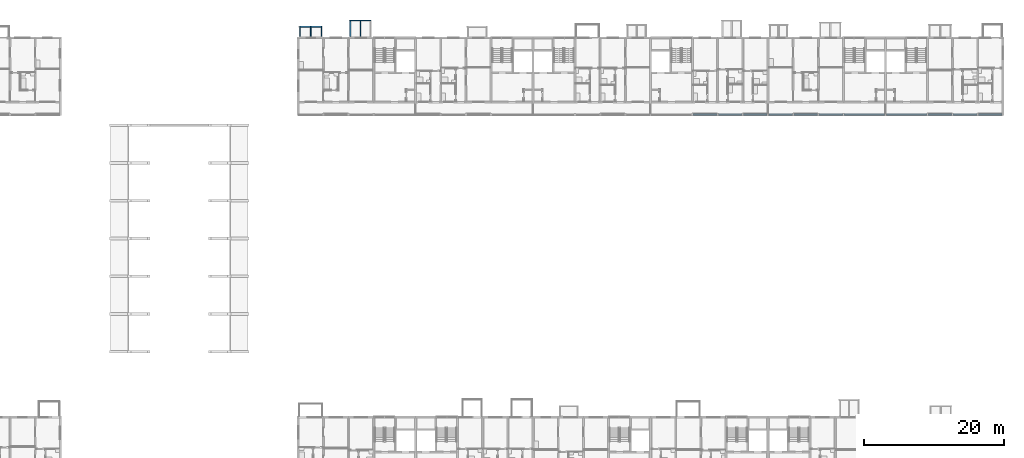
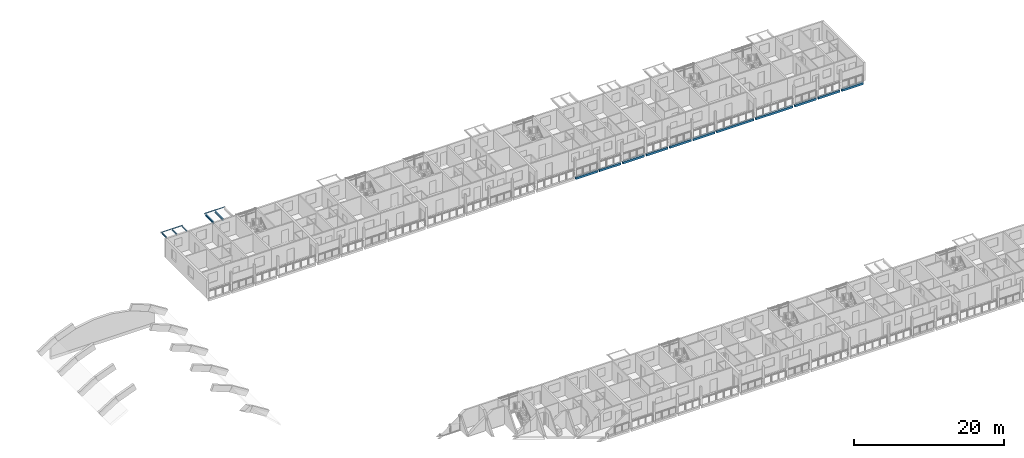
# One storey, part 17 of 99: 18 beams.
"""IFC4 building model written with IfcOpenShell, lengths in metres."""

import ifcopenshell
import ifcopenshell.guid

model = None  # the IFC model being written
_history = None  # IfcOwnerHistory: only IFC2X3 demands one
_inside = {}  # id of a spatial element -> (the spatial element, [elements in it])
_under = {}  # id of a project, library or spatial element -> (it, [spatial elements below it])
_declared = {}  # id of a project -> (the project, [libraries it declares])
_typed = {}  # id of a type object -> (the type object, [elements of that type])
_made_of = {}  # id of a material, layer set ... -> (it, [elements and type objects made of it])


def new_model(schema):
    """Start an empty IFC model of exactly this schema.

    Asked for "IFC4X3", IfcOpenShell would pick the latest addendum, in which some entities
    have other attributes; the version numbers below select the first issue.
    IFC2X3 requires an IfcOwnerHistory on every rooted entity: one is made here for all.
    """
    global model, _history
    if schema == "IFC4X3":
        model = ifcopenshell.file(schema_version=(4, 3, 0, 0))
    else:
        model = ifcopenshell.file(schema=schema)
    _inside.clear()
    _under.clear()
    _declared.clear()
    _typed.clear()
    _made_of.clear()
    _history = None
    if model.schema == "IFC2X3":
        org = make("IfcOrganization", Name="unknown")
        user = make(
            "IfcPersonAndOrganization",
            ThePerson=make("IfcPerson", FamilyName="unknown"),
            TheOrganization=org,
        )
        app = make(
            "IfcApplication",
            ApplicationDeveloper=org,
            Version="unknown",
            ApplicationFullName="unknown",
            ApplicationIdentifier="unknown",
        )
        _history = make(
            "IfcOwnerHistory",
            OwningUser=user,
            OwningApplication=app,
            ChangeAction="ADDED",
            CreationDate=0,
        )
    return model


def make(cls, **values):
    """One entity of the class cls with the attributes given. An attribute that is None is left unset."""
    return model.create_entity(
        cls, **{name: value for name, value in values.items() if value is not None}
    )


def rooted(cls, **values):
    """An entity with a GlobalId (a new one), such as an element, a storey or a relation."""
    return make(cls, GlobalId=ifcopenshell.guid.new(), OwnerHistory=_history, **values)


def si_unit(unit_type, name, prefix=None):
    """IfcSIUnit, for example si_unit("LENGTHUNIT", "METRE", prefix="MILLI")."""
    return make("IfcSIUnit", UnitType=unit_type, Prefix=prefix, Name=name)


def assignment(units):
    """IfcUnitAssignment: the units of a project."""
    return None if units is None else make("IfcUnitAssignment", Units=units)


def point(xyz):
    """IfcCartesianPoint."""
    return None if xyz is None else make("IfcCartesianPoint", Coordinates=xyz)


def direction(xyz):
    """IfcDirection."""
    return None if xyz is None else make("IfcDirection", DirectionRatios=xyz)


def frame(location, z_axis=None, x_axis=None):
    """IfcAxis2Placement3D, a coordinate frame: its origin and axes. An axis left out is left unset."""
    return make(
        "IfcAxis2Placement3D",
        Location=point(location),
        Axis=direction(z_axis),
        RefDirection=direction(x_axis),
    )


def frame_2d(location, x_axis=None):
    """IfcAxis2Placement2D, a coordinate frame in the plane: its origin and x axis."""
    return make(
        "IfcAxis2Placement2D", Location=point(location), RefDirection=direction(x_axis)
    )


def origin():
    """The frame at (0, 0, 0) with its axes left unset."""
    return frame((0.0, 0.0, 0.0))


def origin_2d():
    """The frame at (0, 0) in the plane with its x axis left unset."""
    return frame_2d((0.0, 0.0))


def place(relative_to, where):
    """IfcLocalPlacement: puts the frame where relative to a parent placement (None: the world)."""
    return make(
        "IfcLocalPlacement", PlacementRelTo=relative_to, RelativePlacement=where
    )


def context(
    kind, dimensions, precision=None, world=None, true_north=None, identifier=None
):
    """IfcGeometricRepresentationContext, for example the 3D "Model" context."""
    return make(
        "IfcGeometricRepresentationContext",
        ContextIdentifier=identifier,
        ContextType=kind,
        CoordinateSpaceDimension=dimensions,
        Precision=precision,
        WorldCoordinateSystem=world,
        TrueNorth=true_north,
    )


def subcontext(parent, identifier, kind, view, scale=None):
    """IfcGeometricRepresentationSubContext, for example "Body" below "Model"."""
    return make(
        "IfcGeometricRepresentationSubContext",
        ContextIdentifier=identifier,
        ContextType=kind,
        ParentContext=parent,
        TargetScale=scale,
        TargetView=view,
    )


def project(units=None, contexts=None):
    """IfcProject with its units and contexts."""
    return rooted(
        "IfcProject",
        Name="project",
        RepresentationContexts=contexts,
        UnitsInContext=assignment(units),
    )


def spatial(cls, under=None, at=None, **own):
    """A site, building, storey or space (cls), placed at a placement, below another one or the project."""
    s = rooted(cls, ObjectPlacement=at, **own)
    if under is not None:
        _under.setdefault(under.id(), (under, []))[1].append(s)
    return s


def profile(cls, at=None, kind="AREA", **sizes):
    """A parametric profile (cls). Its sizes go by their IFC names, for example OverallWidth=200.0."""
    return make(cls, ProfileType=kind, Position=at, **sizes)


def rectangle(**sizes):
    """IfcRectangleProfileDef."""
    return profile("IfcRectangleProfileDef", **sizes)


def hollow_rectangle(**sizes):
    """IfcRectangleHollowProfileDef."""
    return profile("IfcRectangleHollowProfileDef", **sizes)


def i_section(**sizes):
    """IfcIShapeProfileDef."""
    return profile("IfcIShapeProfileDef", **sizes)


def extrude(swept, where, along, depth):
    """IfcExtrudedAreaSolid: the profile swept, set in the frame where, extruded along a direction by depth."""
    return make(
        "IfcExtrudedAreaSolid",
        SweptArea=swept,
        Position=where,
        ExtrudedDirection=direction(along),
        Depth=depth,
    )


def shape(context_of_items, identifier, shape_type, items):
    """IfcShapeRepresentation: the items that make up one representation, for example the "Body"."""
    return make(
        "IfcShapeRepresentation",
        ContextOfItems=context_of_items,
        RepresentationIdentifier=identifier,
        RepresentationType=shape_type,
        Items=items,
    )


def material(Name=None, Category=None):
    """IfcMaterial."""
    return make("IfcMaterial", Name=Name, Category=Category)


def material_profile(
    of_material, cross_section, Name=None, Category=None, Priority=None
):
    """IfcMaterialProfile: a cross section and its material."""
    return make(
        "IfcMaterialProfile",
        Name=Name,
        Material=of_material,
        Profile=cross_section,
        Priority=Priority,
        Category=Category,
    )


def profile_set(profiles, Name=None, composite=None):
    """IfcMaterialProfileSet."""
    return make(
        "IfcMaterialProfileSet",
        Name=Name,
        MaterialProfiles=profiles,
        CompositeProfile=composite,
    )


def made_of(thing, what):
    """Note that an element or type object is made of a material, layer set ...; save() writes the relation."""
    if what is not None:
        _made_of.setdefault(what.id(), (what, []))[1].append(thing)
    return thing


def type_object(cls, material=None, **own):
    """A type object (cls), such as IfcWallType, which elements share."""
    return made_of(rooted(cls, **own), material)


def element(
    cls,
    number,
    at=None,
    inside=None,
    cuts=None,
    type_object=None,
    material=None,
    context=None,
    identifier="Body",
    shape_type=None,
    held_by="IfcProductDefinitionShape",
    body=None,
    shapes=None,
    **own,
):
    """One element of the class cls, such as IfcWall. Its Tag is "e" and its number.

    at: its placement. inside: the storey or other place that contains it. cuts: it is an
    opening in that element (IfcRelVoidsElement). A single representation is given by context,
    identifier, shape_type and body (its items); several are given by shapes. held_by: the class
    of the entity that holds the representations. save() writes the other relations.
    """
    e = rooted(cls, Tag="e%d" % number, ObjectPlacement=at, **own)
    if body is not None:
        shapes = [shape(context, identifier, shape_type, body)]
    if shapes is not None:
        e.Representation = make(held_by, Representations=shapes)
    if inside is not None:
        _inside.setdefault(inside.id(), (inside, []))[1].append(e)
    if cuts is not None:
        rooted(
            "IfcRelVoidsElement", RelatingBuildingElement=cuts, RelatedOpeningElement=e
        )
    if type_object is not None:
        _typed.setdefault(type_object.id(), (type_object, []))[1].append(e)
    return made_of(e, material)


def aggregate(whole, parts):
    """IfcRelAggregates: a whole, such as a stair, and the parts it consists of."""
    return rooted("IfcRelAggregates", RelatingObject=whole, RelatedObjects=parts)


def save(model, path):
    """Write the relations noted so far, then the file.

    IfcRelAggregates (storeys below a building ...), IfcRelContainedInSpatialStructure (elements
    in a storey), IfcRelDefinesByType, IfcRelAssociatesMaterial and IfcRelDeclares: one each for
    every whole, place, type object, material and project.
    """
    for whole, parts in _under.values():
        aggregate(whole, parts)
    for where, things in _inside.values():
        rooted(
            "IfcRelContainedInSpatialStructure",
            RelatedElements=things,
            RelatingStructure=where,
        )
    for kind, things in _typed.values():
        rooted("IfcRelDefinesByType", RelatedObjects=things, RelatingType=kind)
    for what, things in _made_of.values():
        rooted("IfcRelAssociatesMaterial", RelatedObjects=things, RelatingMaterial=what)
    for by, libraries in _declared.values():
        rooted("IfcRelDeclares", RelatingContext=by, RelatedDefinitions=libraries)
    model.write(path)


model = new_model("IFC4")

# Units and contexts
model_context = context("Model", 3, precision=1e-05, world=origin(), true_north=direction((0.0, 1.0)))
body_context = subcontext(model_context, "Body", "Model", "MODEL_VIEW")
ifc_project = project(units=[si_unit("LENGTHUNIT", "METRE"), si_unit("AREAUNIT", "SQUARE_METRE"), si_unit("VOLUMEUNIT", "CUBIC_METRE"), si_unit("PLANEANGLEUNIT", "RADIAN"), si_unit("MASSUNIT", "GRAM", prefix="KILO")], contexts=[model_context])

# Site, building, storey
site_placement = place(None, origin())
site = spatial("IfcSite", under=ifc_project, at=site_placement, CompositionType="ELEMENT")
building_placement = place(site_placement, origin())
building = spatial("IfcBuilding", under=site, at=building_placement, Name="Ridgestep Commons", CompositionType="ELEMENT")
storey_placement = place(building_placement, frame((0.0, 0.0, 15.0)))
storey = spatial("IfcBuildingStorey", under=building, at=storey_placement, Name="L05", CompositionType="ELEMENT", Elevation=15.0)

# Beams
ifc_material_1 = material(Name="Precast concrete C40/50", Category="concrete")
ifc_material_profile_1 = material_profile(ifc_material_1, rectangle(XDim=0.25, YDim=0.35009765625, at=origin_2d()), Name="PC 250x350")
ifc_profile_set_1 = profile_set([ifc_material_profile_1], Name="Precast concrete C40/50")
beam_type_1 = type_object("IfcBeamType", Name="Loggia edge beam 250 x 350", PredefinedType="SPANDREL", material=ifc_profile_set_1)
beam_1_placement = place(storey_placement, frame((203.324951171875, 66.125, -0.375), z_axis=(1.0, 0.0, 0.0), x_axis=(0.0, 1.0, 0.0)))
element("IfcBeam", 1, at=beam_1_placement, inside=storey, type_object=beam_type_1, Name="Loggia edge beam C4T3 L05", PredefinedType="SPANDREL", context=body_context, shape_type="SweptSolid", body=[
    extrude(rectangle(XDim=0.25, YDim=0.35009765625, at=origin_2d()), origin(), (0.0, 0.0, 1.0), 3.35009765625),
])
beam_2_placement = place(storey_placement, frame((206.925048828125, 66.125, -0.375), z_axis=(1.0, 0.0, 0.0), x_axis=(0.0, 1.0, 0.0)))
element("IfcBeam", 2, at=beam_2_placement, inside=storey, type_object=beam_type_1, Name="Loggia edge beam C4T2 L05", PredefinedType="SPANDREL", context=body_context, shape_type="SweptSolid", body=[
    extrude(rectangle(XDim=0.25, YDim=0.35009765625, at=origin_2d()), origin(), (0.0, 0.0, 1.0), 3.349853515625),
])
for number, where, z_axis, x_axis, name in (
    (3, (210.52490234375, 66.125, -0.375), (1.0, 0.0, 0.0), (0.0, 1.0, 0.0), "Loggia edge beam C4T1 L05"),
    (4, (214.14990234375, 66.125, -0.375), (1.0, 0.0, 0.0), (0.0, 1.0, 0.0), "Loggia edge beam C5T1 L05"),
):
    element("IfcBeam", number, at=place(storey_placement, frame(where, z_axis=z_axis, x_axis=x_axis)), inside=storey, type_object=beam_type_1, Name=name, PredefinedType="SPANDREL", context=body_context, shape_type="SweptSolid", body=[
        extrude(rectangle(XDim=0.25, YDim=0.35009765625, at=origin_2d()), origin(), (0.0, 0.0, 1.0), 3.3251953125),
    ])
beam_3_placement = place(storey_placement, frame((217.72509765625, 66.125, -0.375), z_axis=(1.0, 0.0, 0.0), x_axis=(0.0, 1.0, 0.0)))
element("IfcBeam", 5, at=beam_3_placement, inside=storey, type_object=beam_type_1, Name="Loggia edge beam C5T2 L05", PredefinedType="SPANDREL", context=body_context, shape_type="SweptSolid", body=[
    extrude(rectangle(XDim=0.25, YDim=0.35009765625, at=origin_2d()), origin(), (0.0, 0.0, 1.0), 3.349853515625),
])
beam_4_placement = place(storey_placement, frame((221.324951171875, 66.125, -0.375), z_axis=(1.0, 0.0, 0.0), x_axis=(0.0, 1.0, 0.0)))
element("IfcBeam", 6, at=beam_4_placement, inside=storey, type_object=beam_type_1, Name="Loggia edge beam C5T3 L05", PredefinedType="SPANDREL", context=body_context, shape_type="SweptSolid", body=[
    extrude(rectangle(XDim=0.25, YDim=0.35009765625, at=origin_2d()), origin(), (0.0, 0.0, 1.0), 3.35009765625),
])
beam_5_placement = place(storey_placement, frame((224.925048828125, 66.125, -0.375), z_axis=(1.0, 0.0, 0.0), x_axis=(0.0, 1.0, 0.0)))
element("IfcBeam", 7, at=beam_5_placement, inside=storey, type_object=beam_type_1, Name="Loggia edge beam C5C L05", PredefinedType="SPANDREL", context=body_context, shape_type="SweptSolid", body=[
    extrude(rectangle(XDim=0.25, YDim=0.35009765625, at=origin_2d()), origin(), (0.0, 0.0, 1.0), 5.724853515625),
])
beam_6_placement = place(storey_placement, frame((230.949951171875, 66.125, -0.375), z_axis=(1.0, 0.0, 0.0), x_axis=(0.0, 1.0, 0.0)))
element("IfcBeam", 8, at=beam_6_placement, inside=storey, type_object=beam_type_1, Name="Loggia edge beam C6C L05", PredefinedType="SPANDREL", context=body_context, shape_type="SweptSolid", body=[
    extrude(rectangle(XDim=0.25, YDim=0.35009765625, at=origin_2d()), origin(), (0.0, 0.0, 1.0), 5.72509765625),
])
beam_7_placement = place(storey_placement, frame((236.925048828125, 66.125, -0.375), z_axis=(1.0, 0.0, 0.0), x_axis=(0.0, 1.0, 0.0)))
element("IfcBeam", 9, at=beam_7_placement, inside=storey, type_object=beam_type_1, Name="Loggia edge beam C6T3 L05", PredefinedType="SPANDREL", context=body_context, shape_type="SweptSolid", body=[
    extrude(rectangle(XDim=0.25, YDim=0.35009765625, at=origin_2d()), origin(), (0.0, 0.0, 1.0), 3.349853515625),
])
beam_8_placement = place(storey_placement, frame((240.52490234375, 66.125, -0.375), z_axis=(1.0, 0.0, 0.0), x_axis=(0.0, 1.0, 0.0)))
element("IfcBeam", 10, at=beam_8_placement, inside=storey, type_object=beam_type_1, Name="Loggia edge beam C6T2 L05", PredefinedType="SPANDREL", context=body_context, shape_type="SweptSolid", body=[
    extrude(rectangle(XDim=0.25, YDim=0.35009765625, at=origin_2d()), origin(), (0.0, 0.0, 1.0), 3.35009765625),
])
beam_9_placement = place(storey_placement, frame((244.125, 66.125, -0.375), z_axis=(1.0, 0.0, 0.0), x_axis=(0.0, 1.0, 0.0)))
element("IfcBeam", 11, at=beam_9_placement, inside=storey, type_object=beam_type_1, Name="Loggia edge beam C6T1 L05", PredefinedType="SPANDREL", context=body_context, shape_type="SweptSolid", body=[
    extrude(rectangle(XDim=0.25, YDim=0.35009765625, at=origin_2d()), origin(), (0.0, 0.0, 1.0), 3.324951171875),
])
ifc_material_2 = material(Name="Weathering steel S355J2W", Category="steel")
ifc_material_profile_2 = material_profile(ifc_material_2, i_section(OverallWidth=0.101806640625, OverallDepth=0.203125, WebThickness=0.00537109375, FlangeThickness=0.00927734375, FilletRadius=0.007568359375, at=origin_2d()), Name="UB 203x102x23")
ifc_profile_set_2 = profile_set([ifc_material_profile_2], Name="Weathering steel S355J2W")
beam_type_2 = type_object("IfcBeamType", Name="Tray arm UB 203x102x23", PredefinedType="BEAM", material=ifc_profile_set_2)
for number, where, z_axis, x_axis, name in (
    (12, (147.050048828125, 77.264892578125, 2.888427734375), (0.0, 1.0, 0.0), (-1.0, 0.0, 0.0), "Tray arm C1T1-06.1"),
    (13, (148.60009765625, 77.264892578125, 2.888427734375), (0.0, 1.0, 0.0), (-1.0, 0.0, 0.0), "Tray arm C1T1-06.2"),
    (14, (150.14990234375, 77.264892578125, 2.888427734375), (0.0, 1.0, 0.0), (-1.0, 0.0, 0.0), "Tray arm C1T1-06.3"),
):
    element("IfcBeam", number, at=place(storey_placement, frame(where, z_axis=z_axis, x_axis=x_axis)), inside=storey, type_object=beam_type_2, Name=name, PredefinedType="BEAM", context=body_context, shape_type="SweptSolid", body=[
        extrude(i_section(OverallWidth=0.101806640625, OverallDepth=0.203125, WebThickness=0.00537109375, FlangeThickness=0.00927734375, FilletRadius=0.007568359375, at=origin_2d()), origin(), (0.0, 0.0, 1.0), 1.364990234375),
    ])
ifc_material_3 = material(Name="Weathering steel S355J2W", Category="steel")
ifc_material_profile_3 = material_profile(ifc_material_3, i_section(OverallWidth=0.171142578125, OverallDepth=0.351318359375, WebThickness=0.007080078125, FlangeThickness=0.009765625, FilletRadius=0.01025390625, at=origin_2d()), Name="UB 356x171x45")
ifc_profile_set_3 = profile_set([ifc_material_profile_3], Name="Weathering steel S355J2W")
beam_type_3 = type_object("IfcBeamType", Name="Tray arm UB 356x171x45", PredefinedType="BEAM", material=ifc_profile_set_3)
for number, where, z_axis, x_axis, name in (
    (15, (154.25, 77.264892578125, 2.814208984375), (0.0, 1.0, 0.0), (-1.0, 0.0, 0.0), "Tray arm C1T3-06.1"),
    (16, (155.699951171875, 77.264892578125, 2.814208984375), (0.0, 1.0, 0.0), (-1.0, 0.0, 0.0), "Tray arm C1T3-06.2"),
):
    element("IfcBeam", number, at=place(storey_placement, frame(where, z_axis=z_axis, x_axis=x_axis)), inside=storey, type_object=beam_type_3, Name=name, PredefinedType="BEAM", context=body_context, shape_type="SweptSolid", body=[
        extrude(i_section(OverallWidth=0.171142578125, OverallDepth=0.351318359375, WebThickness=0.007080078125, FlangeThickness=0.009765625, FilletRadius=0.01025390625, at=origin_2d()), origin(), (0.0, 0.0, 1.0), 2.26513671875),
    ])
ifc_material_4 = material(Name="Weathering steel S355J2W", Category="steel")
ifc_material_profile_4 = material_profile(ifc_material_4, hollow_rectangle(XDim=0.1201171875, YDim=0.1201171875, WallThickness=0.00634765625, InnerFilletRadius=0.00634765625, OuterFilletRadius=0.009521484375, at=origin_2d()), Name="SHS 120x120x6.3")
ifc_profile_set_4 = profile_set([ifc_material_profile_4], Name="Weathering steel S355J2W")
beam_type_4 = type_object("IfcBeamType", Name="Tray edge member SHS 120x120x6.3", PredefinedType="BEAM", material=ifc_profile_set_4)
beam_10_placement = place(storey_placement, frame((154.1298828125, 79.590087890625, 2.929931640625), z_axis=(1.0, 0.0, 0.0), x_axis=(0.0, 0.0, 1.0)))
element("IfcBeam", 17, at=beam_10_placement, inside=storey, type_object=beam_type_4, Name="Tray edge member C1T3-06", PredefinedType="BEAM", context=body_context, shape_type="SweptSolid", body=[
    extrude(hollow_rectangle(XDim=0.1201171875, YDim=0.1201171875, WallThickness=0.00634765625, InnerFilletRadius=0.00634765625, OuterFilletRadius=0.009521484375, at=origin_2d()), origin(), (0.0, 0.0, 1.0), 3.14013671875),
])
beam_11_placement = place(storey_placement, frame((146.929931640625, 78.68994140625, 2.929931640625), z_axis=(1.0, 0.0, 0.0), x_axis=(0.0, 0.0, 1.0)))
element("IfcBeam", 18, at=beam_11_placement, inside=storey, type_object=beam_type_4, Name="Tray edge member C1T1-06", PredefinedType="BEAM", context=body_context, shape_type="SweptSolid", body=[
    extrude(hollow_rectangle(XDim=0.1201171875, YDim=0.1201171875, WallThickness=0.00634765625, InnerFilletRadius=0.00634765625, OuterFilletRadius=0.009521484375, at=origin_2d()), origin(), (0.0, 0.0, 1.0), 3.340087890625),
])

save(model, "model.ifc")
